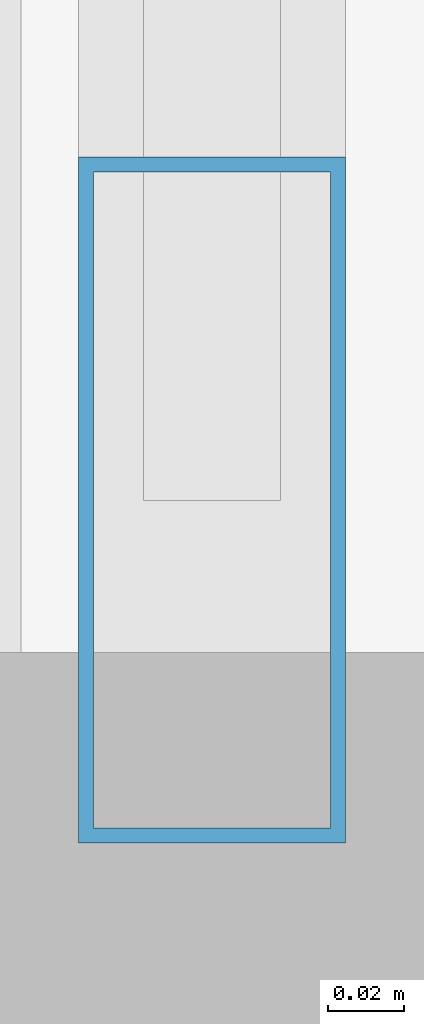
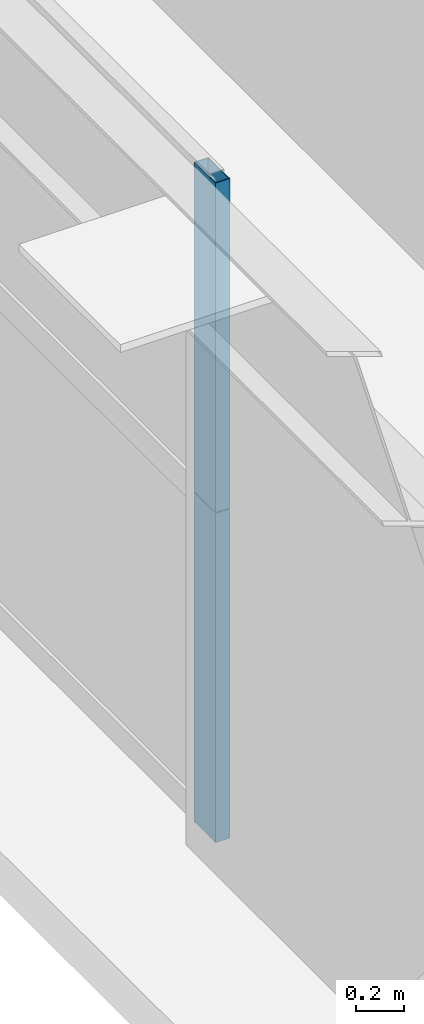
# One storey, part 5 of 46: 2 members, 1 element without a shape of its own.
"""IFC4 building model written with IfcOpenShell, lengths in metres."""

from ifc_helpers import new_model, si_unit, direction, frame, origin, origin_2d, place, context, subcontext, project, spatial, hollow_rectangle, extrude, source, transform, mapped, material, layer, layer_set, material_profile, profile_set, type_object, element, aggregate, save


model = new_model("IFC4")

# Units and contexts
model_context = context("Model", 3, precision=1e-05, world=origin(), true_north=direction((0.0, 1.0)))
body_context = subcontext(model_context, "Body", "Model", "MODEL_VIEW")
ifc_project = project(units=[si_unit("LENGTHUNIT", "METRE"), si_unit("AREAUNIT", "SQUARE_METRE"), si_unit("VOLUMEUNIT", "CUBIC_METRE"), si_unit("PLANEANGLEUNIT", "RADIAN"), si_unit("MASSUNIT", "GRAM", prefix="KILO"), si_unit("THERMODYNAMICTEMPERATUREUNIT", "KELVIN"), si_unit("POWERUNIT", "WATT")], contexts=[model_context])

# Site, building, storey
site_placement = place(None, origin())
site = spatial("IfcSite", under=ifc_project, at=site_placement, CompositionType="ELEMENT")
building_placement = place(site_placement, origin())
building = spatial("IfcBuilding", under=site, at=building_placement, Name="Yuzanri Waterfront Tower", CompositionType="ELEMENT")
storey_placement = place(building_placement, frame((0.0, 0.0, 56.800048828125)))
storey = spatial("IfcBuildingStorey", under=building, at=storey_placement, Name="L14", CompositionType="ELEMENT", Elevation=56.800048828125)

# Curtain wall, members
ifc_material_1 = material(Name="Anodized Architectural Bronze", Category="metal")
ifc_layer = layer(ifc_material_1, 0.159912109375)
ifc_layer_set = layer_set([ifc_layer], Name="Anodized Architectural Bronze")
curtain_wall_type = type_object("IfcCurtainWallType", Name="Anodized Bronze Hotel Lower-Tier Recessed Unitized Curtain Wall 8100", PredefinedType="NOTDEFINED", material=ifc_layer_set)
curtain_wall_placement = place(storey_placement, origin())
curtain_wall = element("IfcCurtainWall", 1, at=curtain_wall_placement, inside=storey, type_object=curtain_wall_type, Name="L14 Curtain Wall CW-L14-WL1", PredefinedType="NOTDEFINED")
ifc_material_2 = material(Name="Anodized Architectural Bronze", Category="metal")
ifc_material_profile = material_profile(ifc_material_2, hollow_rectangle(XDim=0.070068359375, YDim=0.179931640625, WallThickness=0.00390625, at=origin_2d()), Name="CWM 70x180")
ifc_profile_set = profile_set([ifc_material_profile], Name="Anodized Architectural Bronze")
member_type = type_object("IfcMemberType", Name="Anodized Bronze Standard Curtain-Wall Mullion 70x180", PredefinedType="MULLION", material=ifc_profile_set)
shared_shape = source(origin(), body_context, "Body", "SweptSolid", [
    extrude(hollow_rectangle(XDim=0.070068359375, YDim=0.179931640625, WallThickness=0.00390625, at=origin_2d()), origin(), (0.0, 0.0, 1.0), 1.68798828125),
])
member_1_placement = place(storey_placement, frame((12.050048828125, 8.090087890625, 0.0), z_axis=(0.0, 0.0, 1.0), x_axis=(1.0, 0.0, 0.0)))
member_1 = element("IfcMember", 2, at=member_1_placement, type_object=member_type, Name="CW-L14-WL1 Lower Mullion 00", PredefinedType="MULLION", context=body_context, shape_type="MappedRepresentation", body=[
    mapped(shared_shape, transform((0.0, 0.0, 0.0), scale=1.0)),
])
member_2_placement = place(storey_placement, frame((12.050048828125, 8.090087890625, 1.69189453125), z_axis=(0.0, 0.0, 1.0), x_axis=(1.0, 0.0, 0.0)))
member_2 = element("IfcMember", 3, at=member_2_placement, type_object=member_type, Name="CW-L14-WL1 Upper Mullion 00", PredefinedType="MULLION", context=body_context, shape_type="MappedRepresentation", body=[
    mapped(shared_shape, transform((0.0, 0.0, 0.0), scale=1.0)),
])
aggregate(curtain_wall, [member_1, member_2])

save(model, "model.ifc")
